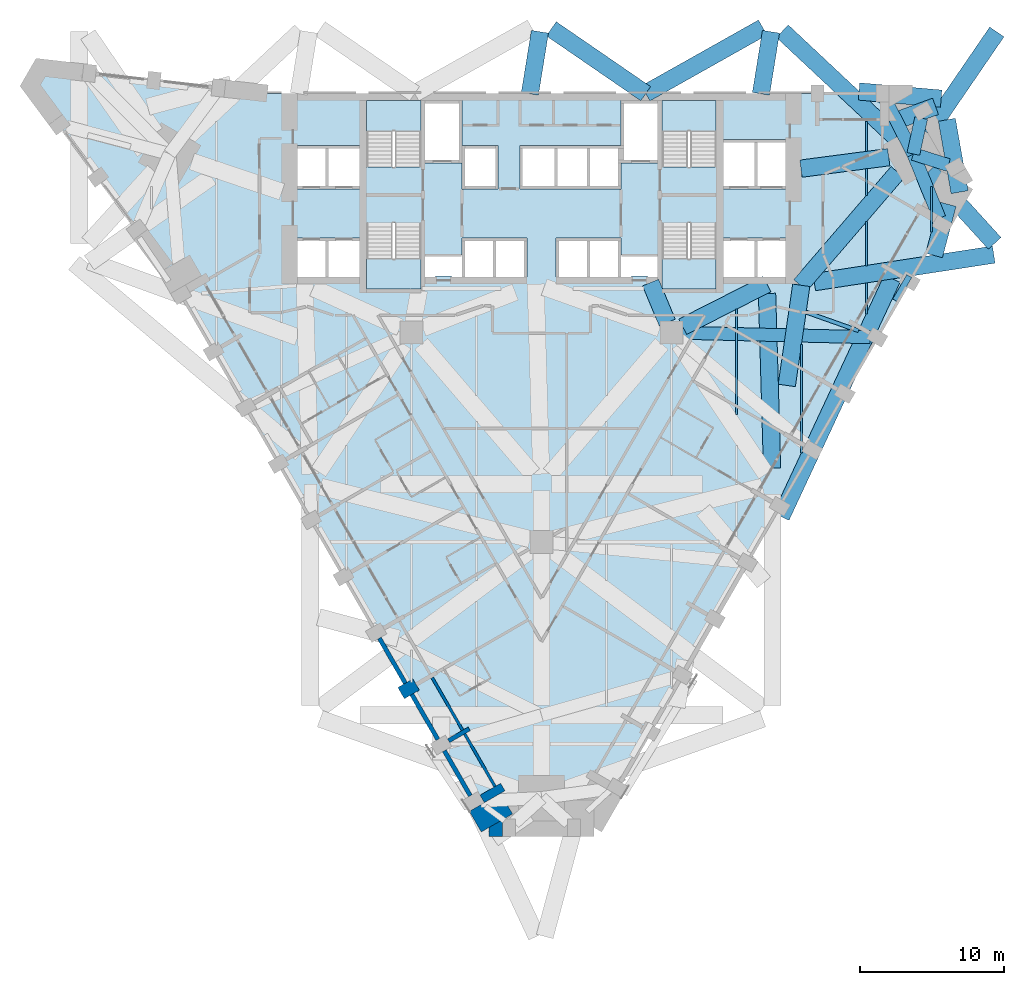
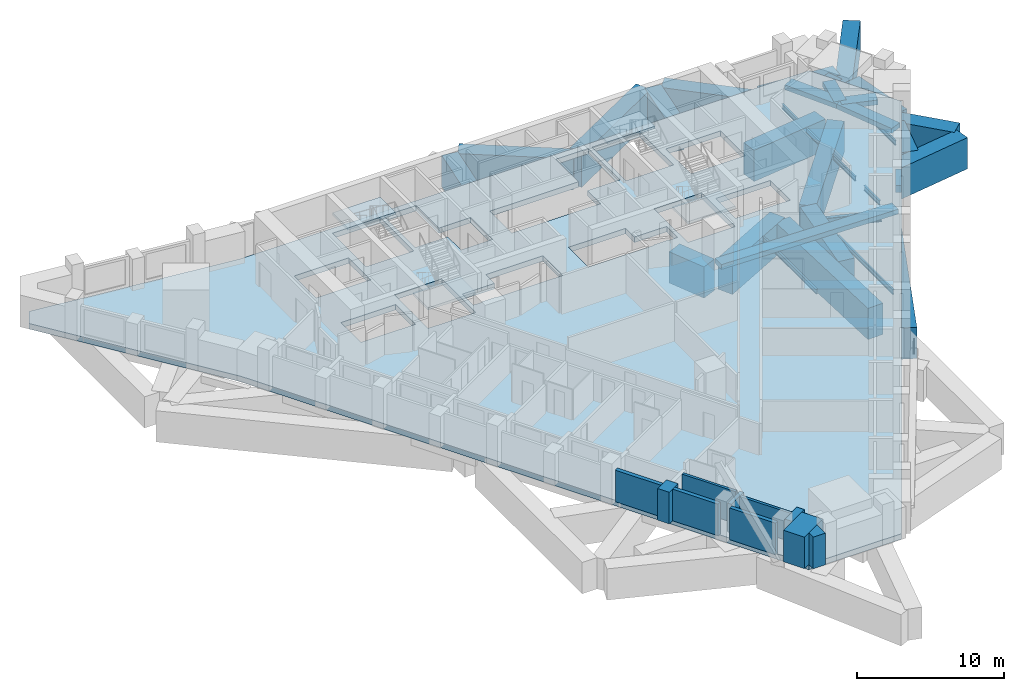
# One storey, part 3 of 12: 33 beams, 10 walls, 5 slabs, 4 elements without a shape of their own.
"""IFC4 building model written with IfcOpenShell, lengths in metres."""

from ifc_helpers import new_model, si_unit, direction, frame, frame_2d, origin, origin_2d, place, context, subcontext, project, spatial, polyline, rectangle, i_section, outline, extrude, material, layer, layer_set, material_profile, profile_set, type_object, element, aggregate, save


model = new_model("IFC4")

# Units and contexts
model_context = context("Model", 3, precision=1e-05, world=origin(), true_north=direction((0.0, 1.0)))
body_context = subcontext(model_context, "Body", "Model", "MODEL_VIEW")
ifc_project = project(units=[si_unit("LENGTHUNIT", "METRE"), si_unit("AREAUNIT", "SQUARE_METRE"), si_unit("VOLUMEUNIT", "CUBIC_METRE"), si_unit("PLANEANGLEUNIT", "RADIAN"), si_unit("MASSUNIT", "GRAM", prefix="KILO")], contexts=[model_context])

# Site, building, storey
site_placement = place(None, origin())
site = spatial("IfcSite", under=ifc_project, at=site_placement, CompositionType="ELEMENT")
building_placement = place(site_placement, origin())
building = spatial("IfcBuilding", under=site, at=building_placement, Name="Calabash Gate Tower", CompositionType="ELEMENT")
storey_placement = place(building_placement, frame((0.0, 0.0, 46.0)))
storey = spatial("IfcBuildingStorey", under=building, at=storey_placement, Name="L06", CompositionType="ELEMENT", Elevation=46.0)

# Beams
ifc_material_1 = material(Name="Concrete C80/95", Category="concrete")
ifc_material_profile_1 = material_profile(ifc_material_1, rectangle(XDim=0.89990234375, YDim=0.39990234375, at=origin_2d()))
ifc_profile_set_1 = profile_set([ifc_material_profile_1], Name="Concrete C80/95")
beam_type_1 = type_object("IfcBeamType", Name="Deck band beam RC 900x400 Concrete C80/95", PredefinedType="BEAM", material=ifc_profile_set_1)
beam_1_placement = place(storey_placement, frame((9.0, 2.5, -0.200927734375), z_axis=(0.999724206067, -0.023484288434, 0.0), x_axis=(0.023484288434, 0.999724206067, 0.0)))
element("IfcBeam", 1, at=beam_1_placement, inside=storey, type_object=beam_type_1, Name="Deck band beam L06 P12", PredefinedType="BEAM", context=body_context, shape_type="SweptSolid", body=[
    extrude(rectangle(XDim=0.89990234375, YDim=0.39990234375, at=origin_2d()), origin(), (0.0, 0.0, 1.0), 13.75390625),
])
beam_2_placement = place(storey_placement, frame((25.75, 14.866943359375, -0.200927734375), z_axis=(0.377329202401, -0.926079193706, 0.0), x_axis=(0.926079193706, 0.377329202401, 0.0)))
element("IfcBeam", 2, at=beam_2_placement, inside=storey, type_object=beam_type_1, Name="Deck band beam L06 P13", PredefinedType="BEAM", context=body_context, shape_type="SweptSolid", body=[
    extrude(rectangle(XDim=0.89990234375, YDim=0.39990234375, at=origin_2d()), origin(), (0.0, 0.0, 1.0), 4.799560546875),
])
beam_3_placement = place(storey_placement, frame((25.75, 14.866943359375, -0.200927734375), z_axis=(0.953070644462, -0.302747992007, 0.0), x_axis=(0.302747992007, 0.953070644462, 0.0)))
element("IfcBeam", 3, at=beam_3_placement, inside=storey, type_object=beam_type_1, Name="Deck band beam L06 P14", PredefinedType="BEAM", context=body_context, shape_type="SweptSolid", body=[
    extrude(rectangle(XDim=0.89990234375, YDim=0.39990234375, at=origin_2d()), origin(), (0.0, 0.0, 1.0), 2.54345703125),
])
beam_4_placement = place(storey_placement, frame((25.75, 14.866943359375, -0.200927734375), z_axis=(0.213453574574, 0.97695320845, 0.0), x_axis=(-0.97695320845, 0.213453574574, 0.0)))
element("IfcBeam", 4, at=beam_4_placement, inside=storey, type_object=beam_type_1, Name="Deck band beam L06 P15", PredefinedType="BEAM", context=body_context, shape_type="SweptSolid", body=[
    extrude(rectangle(XDim=0.89990234375, YDim=0.39990234375, at=origin_2d()), origin(), (0.0, 0.0, 1.0), 2.543701171875),
])
beam_5_placement = place(storey_placement, frame((25.75, 14.866943359375, -0.200927734375), z_axis=(-0.45700827561, 0.889462442166, 0.0), x_axis=(-0.889462442166, -0.45700827561, 0.0)))
element("IfcBeam", 5, at=beam_5_placement, inside=storey, type_object=beam_type_1, Name="Deck band beam L06 P16", PredefinedType="BEAM", context=body_context, shape_type="SweptSolid", body=[
    extrude(rectangle(XDim=0.89990234375, YDim=0.39990234375, at=origin_2d()), origin(), (0.0, 0.0, 1.0), 4.205810546875),
])
ifc_material_2 = material(Name="Concrete C60/75", Category="concrete")
ifc_material_profile_2 = material_profile(ifc_material_2, rectangle(XDim=0.39990234375, YDim=0.60009765625, at=origin_2d()))
ifc_profile_set_2 = profile_set([ifc_material_profile_2], Name="Concrete C60/75")
beam_type_2 = type_object("IfcBeamType", Name="Edge beam RC 400x600 Concrete C60/75", PredefinedType="BEAM", material=ifc_profile_set_2)
beam_6_placement = place(storey_placement, frame((24.493896484375, 4.719970703125, -0.75), z_axis=(0.49998975084, 0.866031321059, 0.0), x_axis=(-0.866031321059, 0.49998975084, 0.0)))
element("IfcBeam", 6, at=beam_6_placement, inside=storey, type_object=beam_type_2, Name="Edge beam L06 10", PredefinedType="BEAM", context=body_context, shape_type="SweptSolid", body=[
    extrude(rectangle(XDim=0.39990234375, YDim=0.60009765625, at=origin_2d()), origin(), (0.0, 0.0, 1.0), 1.9501953125),
])
ifc_material_3 = material(Name="Steel ASTM A992 Gr50", Category="steel")
ifc_material_profile_3 = material_profile(ifc_material_3, i_section(OverallWidth=0.1396484375, OverallDepth=0.398681640625, WebThickness=0.00634765625, FlangeThickness=0.0087890625, FilletRadius=0.01025390625, at=origin_2d()))
ifc_profile_set_3 = profile_set([ifc_material_profile_3], Name="Steel ASTM A992 Gr50")
beam_type_3 = type_object("IfcBeamType", Name="Floor beam W16x26 ASTM A992 Gr50", PredefinedType="BEAM", material=ifc_profile_set_3)
beam_7_placement = place(storey_placement, frame((13.5, -3.18994140625, -0.64892578125), z_axis=(0.0, 1.0, 0.0), x_axis=(-1.0, 0.0, 0.0)))
element("IfcBeam", 7, at=beam_7_placement, inside=storey, type_object=beam_type_3, Name="Floor beam L06 29", PredefinedType="BEAM", context=body_context, shape_type="SweptSolid", body=[
    extrude(i_section(OverallWidth=0.1396484375, OverallDepth=0.398681640625, WebThickness=0.00634765625, FlangeThickness=0.0087890625, FilletRadius=0.01025390625, at=origin_2d()), origin(), (0.0, 0.0, 1.0), 7.326904296875),
])
beam_8_placement = place(storey_placement, frame((18.0, -5.830078125, -0.64892578125), z_axis=(0.0, 1.0, 0.0), x_axis=(-1.0, 0.0, 0.0)))
element("IfcBeam", 8, at=beam_8_placement, inside=storey, type_object=beam_type_3, Name="Floor beam L06 30", PredefinedType="BEAM", context=body_context, shape_type="SweptSolid", body=[
    extrude(i_section(OverallWidth=0.1396484375, OverallDepth=0.398681640625, WebThickness=0.00634765625, FlangeThickness=0.0087890625, FilletRadius=0.01025390625, at=origin_2d()), origin(), (0.0, 0.0, 1.0), 7.51611328125),
])
beam_9_placement = place(storey_placement, frame((22.5, 3.800048828125, -0.64892578125), z_axis=(0.0, 1.0, 0.0), x_axis=(-1.0, 0.0, 0.0)))
element("IfcBeam", 9, at=beam_9_placement, inside=storey, type_object=beam_type_3, Name="Floor beam L06 31", PredefinedType="BEAM", context=body_context, shape_type="SweptSolid", body=[
    extrude(i_section(OverallWidth=0.1396484375, OverallDepth=0.398681640625, WebThickness=0.00634765625, FlangeThickness=0.0087890625, FilletRadius=0.01025390625, at=origin_2d()), origin(), (0.0, 0.0, 1.0), 2.14794921875),
])
beam_10_placement = place(storey_placement, frame((22.5, 7.117919921875, -0.64892578125), z_axis=(0.0, 1.0, 0.0), x_axis=(-1.0, 0.0, 0.0)))
element("IfcBeam", 10, at=beam_10_placement, inside=storey, type_object=beam_type_3, Name="Floor beam L06 32", PredefinedType="BEAM", context=body_context, shape_type="SweptSolid", body=[
    extrude(i_section(OverallWidth=0.1396484375, OverallDepth=0.398681640625, WebThickness=0.00634765625, FlangeThickness=0.0087890625, FilletRadius=0.01025390625, at=origin_2d()), origin(), (0.0, 0.0, 1.0), 3.070068359375),
])
beam_11_placement = place(storey_placement, frame((22.5, 11.987060546875, -0.64892578125), z_axis=(0.0, 1.0, 0.0), x_axis=(-1.0, 0.0, 0.0)))
element("IfcBeam", 11, at=beam_11_placement, inside=storey, type_object=beam_type_3, Name="Floor beam L06 33", PredefinedType="BEAM", context=body_context, shape_type="SweptSolid", body=[
    extrude(i_section(OverallWidth=0.1396484375, OverallDepth=0.398681640625, WebThickness=0.00634765625, FlangeThickness=0.0087890625, FilletRadius=0.01025390625, at=origin_2d()), origin(), (0.0, 0.0, 1.0), 1.870849609375),
])
beam_12_placement = place(storey_placement, frame((22.5, 15.02392578125, -0.64892578125), z_axis=(0.0, 1.0, 0.0), x_axis=(-1.0, 0.0, 0.0)))
element("IfcBeam", 12, at=beam_12_placement, inside=storey, type_object=beam_type_3, Name="Floor beam L06 34", PredefinedType="BEAM", context=body_context, shape_type="SweptSolid", body=[
    extrude(i_section(OverallWidth=0.1396484375, OverallDepth=0.398681640625, WebThickness=0.00634765625, FlangeThickness=0.0087890625, FilletRadius=0.01025390625, at=origin_2d()), origin(), (0.0, 0.0, 1.0), 2.09716796875),
])
beam_13_placement = place(storey_placement, frame((27.0, 9.446044921875, -0.64892578125), z_axis=(0.0, 1.0, 0.0), x_axis=(-1.0, 0.0, 0.0)))
element("IfcBeam", 13, at=beam_13_placement, inside=storey, type_object=beam_type_3, Name="Floor beam L06 35", PredefinedType="BEAM", context=body_context, shape_type="SweptSolid", body=[
    extrude(i_section(OverallWidth=0.1396484375, OverallDepth=0.398681640625, WebThickness=0.00634765625, FlangeThickness=0.0087890625, FilletRadius=0.01025390625, at=origin_2d()), origin(), (0.0, 0.0, 1.0), 3.16796875),
])
ifc_material_4 = material(Name="Steel ASTM A992 Gr50", Category="steel")
ifc_material_profile_4 = material_profile(ifc_material_4, i_section(OverallWidth=0.2666015625, OverallDepth=0.77978515625, WebThickness=0.0166015625, FlangeThickness=0.030029296875, FilletRadius=0.0166015625, at=origin_2d()))
ifc_profile_set_4 = profile_set([ifc_material_profile_4], Name="Steel ASTM A992 Gr50")
beam_type_4 = type_object("IfcBeamType", Name="Girder W30x148 ASTM A992 Gr50", PredefinedType="BEAM", material=ifc_profile_set_4)
beam_14_placement = place(storey_placement, frame((21.949951171875, 2.6259765625, -0.840087890625), z_axis=(-0.94256403784, 0.33402549988, 0.0), x_axis=(-0.33402549988, -0.94256403784, 0.0)))
element("IfcBeam", 14, at=beam_14_placement, inside=storey, type_object=beam_type_4, Name="Girder L06 4", PredefinedType="BEAM", context=body_context, shape_type="SweptSolid", body=[
    extrude(i_section(OverallWidth=0.2666015625, OverallDepth=0.77978515625, WebThickness=0.0166015625, FlangeThickness=0.030029296875, FilletRadius=0.0166015625, at=origin_2d()), origin(), (0.0, 0.0, 1.0), 3.876708984375),
])
ifc_material_5 = material(Name="Concrete C80/95", Category="concrete")
ifc_material_profile_5 = material_profile(ifc_material_5, rectangle(XDim=1.199951171875, YDim=2.60009765625, at=origin_2d()))
ifc_profile_set_5 = profile_set([ifc_material_profile_5], Name="Concrete C80/95")
beam_type_5 = type_object("IfcBeamType", Name="Transfer beam RC 1200x2600 Concrete C80/95", PredefinedType="BEAM", material=ifc_profile_set_5)
beam_15_placement = place(storey_placement, frame((16.596923828125, -10.2509765625, -1.75), z_axis=(0.422541390631, 0.906343628655, 0.0), x_axis=(-0.906343628655, 0.422541390631, 0.0)))
element("IfcBeam", 15, at=beam_15_placement, inside=storey, type_object=beam_type_5, Name="Transfer beam L06 57", PredefinedType="BEAM", context=body_context, shape_type="SweptSolid", body=[
    extrude(rectangle(XDim=1.199951171875, YDim=2.60009765625, at=origin_2d()), origin(), (0.0, 0.0, 1.0), 18.1806640625),
])
beam_16_placement = place(storey_placement, frame((27.181884765625, 7.837890625, -1.75), z_axis=(0.258622045458, 0.965978590655, 0.0), x_axis=(-0.965978590655, 0.258622045458, 0.0)))
element("IfcBeam", 16, at=beam_16_placement, inside=storey, type_object=beam_type_5, Name="Transfer beam L06 58", PredefinedType="BEAM", context=body_context, shape_type="SweptSolid", body=[
    extrude(rectangle(XDim=1.199951171875, YDim=2.60009765625, at=origin_2d()), origin(), (0.0, 0.0, 1.0), 3.674072265625),
])
beam_17_placement = place(storey_placement, frame((28.9541015625, 12.219970703125, -1.75), z_axis=(-0.173637611139, 0.984809616118, 0.0), x_axis=(-0.984809616118, -0.173637611139, 0.0)))
element("IfcBeam", 17, at=beam_17_placement, inside=storey, type_object=beam_type_5, Name="Transfer beam L06 59", PredefinedType="BEAM", context=body_context, shape_type="SweptSolid", body=[
    extrude(rectangle(XDim=1.199951171875, YDim=2.60009765625, at=origin_2d()), origin(), (0.0, 0.0, 1.0), 5.09130859375),
])
beam_18_placement = place(storey_placement, frame((24.257080078125, 17.06005859375, -1.75), z_axis=(0.93967399384, 0.342071316104, 0.0), x_axis=(-0.342071316104, 0.93967399384, 0.0)))
element("IfcBeam", 18, at=beam_18_placement, inside=storey, type_object=beam_type_5, Name="Transfer beam L06 60", PredefinedType="BEAM", context=body_context, shape_type="SweptSolid", body=[
    extrude(rectangle(XDim=1.199951171875, YDim=2.60009765625, at=origin_2d()), origin(), (0.0, 0.0, 1.0), 3.224609375),
])
beam_19_placement = place(storey_placement, frame((27.677001953125, 18.696044921875, -1.75), z_axis=(-0.996189725716, 0.087212558598, 0.0), x_axis=(-0.087212558598, -0.996189725716, 0.0)))
element("IfcBeam", 19, at=beam_19_placement, inside=storey, type_object=beam_type_5, Name="Transfer beam L06 61", PredefinedType="BEAM", context=body_context, shape_type="SweptSolid", body=[
    extrude(rectangle(XDim=1.199951171875, YDim=2.60009765625, at=origin_2d()), origin(), (0.0, 0.0, 1.0), 5.710693359375),
])
ifc_material_6 = material(Name="Concrete C80/95", Category="concrete")
ifc_material_profile_6 = material_profile(ifc_material_6, rectangle(XDim=1.199951171875, YDim=2.60009765625, at=origin_2d()))
ifc_profile_set_6 = profile_set([ifc_material_profile_6], Name="Concrete C80/95")
beam_type_6 = type_object("IfcBeamType", Name="Transfer girder RC 1200x2600 Concrete C80/95", PredefinedType="BEAM", material=ifc_profile_set_6)
beam_20_placement = place(storey_placement, frame((-0.803955078125, 19.031005859375, -1.75), z_axis=(0.15978924293, 0.987151152481, 0.0), x_axis=(-0.987151152481, 0.15978924293, 0.0)))
element("IfcBeam", 20, at=beam_20_placement, inside=storey, type_object=beam_type_6, Name="Transfer girder L06 21", PredefinedType="BEAM", context=body_context, shape_type="SweptSolid", body=[
    extrude(rectangle(XDim=1.199951171875, YDim=2.60009765625, at=origin_2d()), origin(), (0.0, 0.0, 1.0), 4.35595703125),
])
beam_21_placement = place(storey_placement, frame((0.681884765625, 23.531005859375, -1.75), z_axis=(0.82419639398, -0.56630407393, 0.0), x_axis=(0.56630407393, 0.82419639398, 0.0)))
element("IfcBeam", 21, at=beam_21_placement, inside=storey, type_object=beam_type_6, Name="Transfer girder L06 33", PredefinedType="BEAM", context=body_context, shape_type="SweptSolid", body=[
    extrude(rectangle(XDim=1.199951171875, YDim=2.60009765625, at=origin_2d()), origin(), (0.0, 0.0, 1.0), 7.930419921875),
])
beam_22_placement = place(storey_placement, frame((7.216064453125, 19.06103515625, -1.75), z_axis=(0.87165545338, 0.490119139183, 0.0), x_axis=(-0.490119139183, 0.87165545338, 0.0)))
element("IfcBeam", 22, at=beam_22_placement, inside=storey, type_object=beam_type_6, Name="Transfer girder L06 34", PredefinedType="BEAM", context=body_context, shape_type="SweptSolid", body=[
    extrude(rectangle(XDim=1.199951171875, YDim=2.60009765625, at=origin_2d()), origin(), (0.0, 0.0, 1.0), 9.299560546875),
])
beam_23_placement = place(storey_placement, frame((7.553955078125, 5.9619140625, -1.75), z_axis=(0.385395463357, -0.92275150329, 0.0), x_axis=(0.92275150329, 0.385395463357, 0.0)))
element("IfcBeam", 23, at=beam_23_placement, inside=storey, type_object=beam_type_6, Name="Transfer girder L06 35", PredefinedType="BEAM", context=body_context, shape_type="SweptSolid", body=[
    extrude(rectangle(XDim=1.199951171875, YDim=2.60009765625, at=origin_2d()), origin(), (0.0, 0.0, 1.0), 2.99951171875),
])
beam_24_placement = place(storey_placement, frame((9.782958984375, 2.89794921875, -1.75), z_axis=(0.891600889098, 0.452822100344, 0.0), x_axis=(-0.452822100344, 0.891600889098, 0.0)))
element("IfcBeam", 24, at=beam_24_placement, inside=storey, type_object=beam_type_6, Name="Transfer girder L06 36", PredefinedType="BEAM", context=body_context, shape_type="SweptSolid", body=[
    extrude(rectangle(XDim=1.199951171875, YDim=2.60009765625, at=origin_2d()), origin(), (0.0, 0.0, 1.0), 6.53662109375),
])
beam_25_placement = place(storey_placement, frame((15.196044921875, 19.031005859375, -1.75), z_axis=(0.15978924293, 0.987151152481, 0.0), x_axis=(-0.987151152481, 0.15978924293, 0.0)))
element("IfcBeam", 25, at=beam_25_placement, inside=storey, type_object=beam_type_6, Name="Transfer girder L06 38", PredefinedType="BEAM", context=body_context, shape_type="SweptSolid", body=[
    extrude(rectangle(XDim=1.199951171875, YDim=2.60009765625, at=origin_2d()), origin(), (0.0, 0.0, 1.0), 4.35595703125),
])
beam_26_placement = place(storey_placement, frame((15.618896484375, 5.20703125, -1.75), z_axis=(0.028866935928, -0.99958326317, 0.0), x_axis=(0.99958326317, 0.028866935928, 0.0)))
element("IfcBeam", 26, at=beam_26_placement, inside=storey, type_object=beam_type_6, Name="Transfer girder L06 39", PredefinedType="BEAM", context=body_context, shape_type="SweptSolid", body=[
    extrude(rectangle(XDim=1.199951171875, YDim=2.60009765625, at=origin_2d()), origin(), (0.0, 0.0, 1.0), 12.09423828125),
])
beam_27_placement = place(storey_placement, frame((16.987060546875, -1.160888671875, -1.75), z_axis=(0.14301651767, 0.989720301739, 0.0), x_axis=(-0.989720301739, 0.14301651767, 0.0)))
element("IfcBeam", 27, at=beam_27_placement, inside=storey, type_object=beam_type_6, Name="Transfer girder L06 41", PredefinedType="BEAM", context=body_context, shape_type="SweptSolid", body=[
    extrude(rectangle(XDim=1.199951171875, YDim=2.60009765625, at=origin_2d()), origin(), (0.0, 0.0, 1.0), 7.005859375),
])
beam_28_placement = place(storey_placement, frame((16.677001953125, 23.365966796875, -1.75), z_axis=(0.729797901463, -0.683662945479, 0.0), x_axis=(0.683662945479, 0.729797901463, 0.0)))
element("IfcBeam", 28, at=beam_28_placement, inside=storey, type_object=beam_type_6, Name="Transfer girder L06 42", PredefinedType="BEAM", context=body_context, shape_type="SweptSolid", body=[
    extrude(rectangle(XDim=1.199951171875, YDim=2.60009765625, at=origin_2d()), origin(), (0.0, 0.0, 1.0), 10.774169921875),
])
beam_29_placement = place(storey_placement, frame((17.927001953125, 5.76806640625, -1.75), z_axis=(0.651921348115, 0.758286592175, 0.0), x_axis=(-0.758286592175, 0.651921348115, 0.0)))
element("IfcBeam", 29, at=beam_29_placement, inside=storey, type_object=beam_type_6, Name="Transfer girder L06 43", PredefinedType="BEAM", context=body_context, shape_type="SweptSolid", body=[
    extrude(rectangle(XDim=1.199951171875, YDim=2.60009765625, at=origin_2d()), origin(), (0.0, 0.0, 1.0), 10.3310546875),
])
beam_30_placement = place(storey_placement, frame((18.887939453125, 5.989013671875, -1.75), z_axis=(0.988439145396, 0.151618125068, 0.0), x_axis=(-0.151618125068, 0.988439145396, 0.0)))
element("IfcBeam", 30, at=beam_30_placement, inside=storey, type_object=beam_type_6, Name="Transfer girder L06 44", PredefinedType="BEAM", context=body_context, shape_type="SweptSolid", body=[
    extrude(rectangle(XDim=1.199951171875, YDim=2.60009765625, at=origin_2d()), origin(), (0.0, 0.0, 1.0), 12.57763671875),
])
beam_31_placement = place(storey_placement, frame((17.968017578125, 13.847900390625, -1.75), z_axis=(0.991529638159, 0.129880624625, 0.0), x_axis=(-0.129880624625, 0.991529638159, 0.0)))
element("IfcBeam", 31, at=beam_31_placement, inside=storey, type_object=beam_type_6, Name="Transfer girder L06 45", PredefinedType="BEAM", context=body_context, shape_type="SweptSolid", body=[
    extrude(rectangle(XDim=1.199951171875, YDim=2.60009765625, at=origin_2d()), origin(), (0.0, 0.0, 1.0), 6.1298828125),
])
beam_32_placement = place(storey_placement, frame((26.83203125, 13.677001953125, -1.75), z_axis=(0.673188622561, -0.739470809737, 0.0), x_axis=(0.739470809737, 0.673188622561, 0.0)))
element("IfcBeam", 32, at=beam_32_placement, inside=storey, type_object=beam_type_6, Name="Transfer girder L06 46", PredefinedType="BEAM", context=body_context, shape_type="SweptSolid", body=[
    extrude(rectangle(XDim=1.199951171875, YDim=2.60009765625, at=origin_2d()), origin(), (0.0, 0.0, 1.0), 6.759033203125),
])
beam_33_placement = place(storey_placement, frame((26.741943359375, 16.31689453125, -1.75), z_axis=(0.564729316398, 0.825276195707, 0.0), x_axis=(-0.825276195707, 0.564729316398, 0.0)))
element("IfcBeam", 33, at=beam_33_placement, inside=storey, type_object=beam_type_6, Name="Transfer girder L06 47", PredefinedType="BEAM", context=body_context, shape_type="SweptSolid", body=[
    extrude(rectangle(XDim=1.199951171875, YDim=2.60009765625, at=origin_2d()), origin(), (0.0, 0.0, 1.0), 8.48193359375),
])

# Stair, slab
ifc_material_7 = material(Name="Concrete C40/50", Category="concrete")
stair_type = type_object("IfcStairType", Name="Exit stair 20 risers of 170 mm", PredefinedType="HALF_TURN_STAIR", material=ifc_material_7)
stair_1_placement = place(storey_placement, origin())
stair_1 = element("IfcStair", 34, at=stair_1_placement, inside=storey, type_object=stair_type, Name="L06 Exit stair ST1", PredefinedType="HALF_TURN_STAIR")
ifc_material_8 = material(Name="Concrete C40/50", Category="concrete")
ifc_layer_1 = layer(ifc_material_8, 0.199951171875)
ifc_layer_set_1 = layer_set([ifc_layer_1], Name="Stair landing SL200")
slab_type_1 = type_object("IfcSlabType", Name="Stair landing SL200", PredefinedType="LANDING", material=ifc_layer_set_1)
slab_1_placement = place(storey_placement, frame((0.0, 0.0, 1.5)))
slab_1 = element("IfcSlab", 35, at=slab_1_placement, type_object=slab_type_1, Name="ST1 landing 1", PredefinedType="LANDING", context=body_context, shape_type="SweptSolid", body=[
    extrude(outline(polyline([(-8.35009765625, 16.463623046875), (-8.35009765625, 18.552490234375), (-12.10009765625, 18.552490234375), (-12.10009765625, 16.463623046875), (-8.35009765625, 16.463623046875)])), origin(), (0.0, 0.0, 1.0), 0.199951171875),
])
aggregate(stair_1, [slab_1])

stair_2_placement = place(storey_placement, origin())
stair_2 = element("IfcStair", 36, at=stair_2_placement, inside=storey, type_object=stair_type, Name="L06 Exit stair ST2", PredefinedType="HALF_TURN_STAIR")
slab_2_placement = place(storey_placement, frame((0.0, 0.0, 1.5)))
slab_2 = element("IfcSlab", 37, at=slab_2_placement, type_object=slab_type_1, Name="ST2 landing 1", PredefinedType="LANDING", context=body_context, shape_type="SweptSolid", body=[
    extrude(outline(polyline([(-12.10009765625, 7.591552734375), (-12.10009765625, 5.502685546875), (-8.35009765625, 5.502685546875), (-8.35009765625, 7.591552734375), (-12.10009765625, 7.591552734375)])), origin(), (0.0, 0.0, 1.0), 0.199951171875),
])
aggregate(stair_2, [slab_2])

stair_3_placement = place(storey_placement, origin())
stair_3 = element("IfcStair", 38, at=stair_3_placement, inside=storey, type_object=stair_type, Name="L06 Exit stair ST3", PredefinedType="HALF_TURN_STAIR")
slab_3_placement = place(storey_placement, frame((0.0, 0.0, 1.5)))
slab_3 = element("IfcSlab", 39, at=slab_3_placement, type_object=slab_type_1, Name="ST3 landing 1", PredefinedType="LANDING", context=body_context, shape_type="SweptSolid", body=[
    extrude(outline(polyline([(12.10009765625, 16.463623046875), (12.10009765625, 18.552490234375), (8.35009765625, 18.552490234375), (8.35009765625, 16.463623046875), (12.10009765625, 16.463623046875)])), origin(), (0.0, 0.0, 1.0), 0.199951171875),
])
aggregate(stair_3, [slab_3])

stair_4_placement = place(storey_placement, origin())
stair_4 = element("IfcStair", 40, at=stair_4_placement, inside=storey, type_object=stair_type, Name="L06 Exit stair ST4", PredefinedType="HALF_TURN_STAIR")
slab_4_placement = place(storey_placement, frame((0.0, 0.0, 1.5)))
slab_4 = element("IfcSlab", 41, at=slab_4_placement, type_object=slab_type_1, Name="ST4 landing 1", PredefinedType="LANDING", context=body_context, shape_type="SweptSolid", body=[
    extrude(outline(polyline([(8.35009765625, 7.591552734375), (8.35009765625, 5.502685546875), (12.10009765625, 5.502685546875), (12.10009765625, 7.591552734375), (8.35009765625, 7.591552734375)])), origin(), (0.0, 0.0, 1.0), 0.199951171875),
])
aggregate(stair_4, [slab_4])

# Slab
ifc_material_9 = material(Name="Concrete C40/50", Category="concrete")
ifc_layer_2 = layer(ifc_material_9, 0.449951171875)
ifc_layer_set_2 = layer_set([ifc_layer_2], Name="Transfer deck slab 450 Concrete C40/50")
slab_type_2 = type_object("IfcSlabType", Name="Transfer deck slab 450 Concrete C40/50", PredefinedType="FLOOR", material=ifc_layer_set_2)
slab_5_placement = place(storey_placement, frame((0.0, 0.0, -0.449951171875)))
element("IfcSlab", 42, at=slab_5_placement, inside=storey, type_object=slab_type_2, Name="Floor slab L06", PredefinedType="FLOOR", context=body_context, shape_type="SweptSolid", body=[
    extrude(outline(polyline([(-26.0, 6.92822265625), (-35.392578125, 19.606201171875), (-34.67578125, 20.84765625), (-19.0, 19.052490234375), (25.699951171875, 19.052490234375), (29.35009765625, 12.73046875), (3.64990234375, -31.783203125), (-3.64990234375, -31.783203125), (-26.0, 6.92822265625)]), holes=[polyline([(-5.5, 9.052490234375), (-5.5, 7.8525390625), (-8.050048828125, 7.8525390625), (-8.050048828125, 6.3525390625), (-7.324951171875, 6.3525390625), (-7.324951171875, 6.402587890625), (-6.22509765625, 6.402587890625), (-6.22509765625, 6.3525390625), (-5.5, 6.3525390625), (-3.25, 6.3525390625), (-1.0, 6.3525390625), (-1.0, 9.052490234375), (-3.25, 9.052490234375), (-5.5, 9.052490234375)]), polyline([(5.5, 9.052490234375), (3.25, 9.052490234375), (1.0, 9.052490234375), (1.0, 6.3525390625), (3.25, 6.3525390625), (5.5, 6.3525390625), (6.22509765625, 6.3525390625), (6.22509765625, 6.402587890625), (7.324951171875, 6.402587890625), (7.324951171875, 6.3525390625), (8.050048828125, 6.3525390625), (8.050048828125, 7.8525390625), (5.5, 7.8525390625), (5.5, 9.052490234375)]), polyline([(-5.5, 14.252685546875), (-5.5, 12.45263671875), (-3.0, 12.45263671875), (-3.0, 15.45263671875), (-5.5, 15.45263671875), (-5.5, 18.552490234375), (-8.050048828125, 18.552490234375), (-8.050048828125, 14.252685546875), (-5.5, 14.252685546875)]), polyline([(8.050048828125, 18.552490234375), (5.5, 18.552490234375), (5.5, 15.45263671875), (3.25, 15.45263671875), (1.0, 15.45263671875), (-1.5, 15.45263671875), (-1.5, 12.45263671875), (1.0, 12.45263671875), (3.25, 12.45263671875), (5.5, 12.45263671875), (5.5, 14.252685546875), (8.050048828125, 14.252685546875), (8.050048828125, 18.552490234375)]), polyline([(-12.60009765625, 6.3525390625), (-12.60009765625, 9.052490234375), (-14.85009765625, 9.052490234375), (-16.89990234375, 9.052490234375), (-16.89990234375, 6.3525390625), (-14.85009765625, 6.3525390625), (-12.60009765625, 6.3525390625)]), polyline([(-14.85009765625, 12.45263671875), (-12.60009765625, 12.45263671875), (-12.60009765625, 15.45263671875), (-14.85009765625, 15.45263671875), (-16.89990234375, 15.45263671875), (-16.89990234375, 12.45263671875), (-14.85009765625, 12.45263671875)]), polyline([(14.85009765625, 6.3525390625), (16.89990234375, 6.3525390625), (16.89990234375, 9.052490234375), (14.85009765625, 9.052490234375), (12.60009765625, 9.052490234375), (12.60009765625, 6.3525390625), (14.85009765625, 6.3525390625)]), polyline([(14.85009765625, 12.45263671875), (16.89990234375, 12.45263671875), (16.89990234375, 15.8525390625), (14.85009765625, 15.8525390625), (12.60009765625, 15.8525390625), (12.60009765625, 12.45263671875), (14.85009765625, 12.45263671875)]), polyline([(-8.35009765625, 18.552490234375), (-12.10009765625, 18.552490234375), (-12.10009765625, 13.95263671875), (-8.35009765625, 13.95263671875), (-8.35009765625, 18.552490234375)]), polyline([(-12.10009765625, 10.1025390625), (-12.10009765625, 5.502685546875), (-8.35009765625, 5.502685546875), (-8.35009765625, 10.1025390625), (-12.10009765625, 10.1025390625)]), polyline([(8.35009765625, 13.95263671875), (12.10009765625, 13.95263671875), (12.10009765625, 18.552490234375), (8.35009765625, 18.552490234375), (8.35009765625, 13.95263671875)]), polyline([(12.10009765625, 5.502685546875), (12.10009765625, 10.1025390625), (8.35009765625, 10.1025390625), (8.35009765625, 5.502685546875), (12.10009765625, 5.502685546875)])]), origin(), (0.0, 0.0, 1.0), 0.449951171875),
])

# Walls
ifc_material_10 = material(Name="Terracotta brick masonry, exposed face", Category="masonry")
ifc_layer_3 = layer(ifc_material_10, 2.5)
ifc_layer_set_3 = layer_set([ifc_layer_3], Name="Brick corner mass wall 2500")
wall_type_1 = type_object("IfcWallType", Name="Brick corner mass wall 2500", PredefinedType="SOLIDWALL", material=ifc_layer_set_3)
wall_1_placement = place(storey_placement, origin())
element("IfcWall", 43, at=wall_1_placement, inside=storey, type_object=wall_type_1, Name="Brick corner pier S01 2a", PredefinedType="SOLIDWALL", context=body_context, shape_type="SweptSolid", body=[
    extrude(outline(polyline([(-2.004638671875, -30.833251953125), (-2.82958984375, -29.404296875), (-4.99462890625, -30.654296875), (-4.169677734375, -32.083251953125), (-2.699951171875, -31.234619140625), (-2.699951171875, -31.18310546875), (-2.610595703125, -31.18310546875), (-2.004638671875, -30.833251953125)])), origin(), (0.0, 0.0, 1.0), 2.6298828125),
])
wall_2_placement = place(storey_placement, origin())
element("IfcWall", 44, at=wall_2_placement, inside=storey, type_object=wall_type_1, Name="Brick corner pier S01 2ba", PredefinedType="SOLIDWALL", context=body_context, shape_type="SweptSolid", body=[
    extrude(outline(polyline([(-3.64990234375, -31.783203125), (-3.64990234375, -32.383056640625), (-2.699951171875, -32.383056640625), (-2.699951171875, -31.234619140625), (-3.64990234375, -31.783203125)])), origin(), (0.0, 0.0, 1.0), 2.6298828125),
])
ifc_material_11 = material(Name="Terracotta brick masonry, exposed face", Category="masonry")
ifc_layer_4 = layer(ifc_material_11, 1.199951171875)
ifc_layer_set_4 = layer_set([ifc_layer_4], Name="Brick end wall 1200")
wall_type_2 = type_object("IfcWallType", Name="Brick end wall 1200", PredefinedType="SOLIDWALL", material=ifc_layer_set_4)
wall_3_placement = place(storey_placement, frame((-8.680419921875, -21.870361328125, 0.0), z_axis=(0.0, 0.0, 1.0), x_axis=(-0.866094119867, -0.499880961361, 0.0)))
element("IfcWall", 45, at=wall_3_placement, inside=storey, type_object=wall_type_2, Name="Brick pier S01 SW0.7", PredefinedType="SOLIDWALL", context=body_context, shape_type="SweptSolid", body=[
    extrude(rectangle(XDim=1.199951171875, YDim=0.89990234375, at=frame_2d((0.60009765625, 0.0))), origin(), (0.0, 0.0, 1.0), 2.6298828125),
])
ifc_material_12 = material(Name="Terracotta brick masonry, exposed face", Category="masonry")
ifc_layer_5 = layer(ifc_material_12, 0.300048828125)
ifc_layer_set_5 = layer_set([ifc_layer_5], Name="Brick infill panel wall 300")
wall_type_3 = type_object("IfcWallType", Name="Brick infill panel wall 300", PredefinedType="SOLIDWALL", material=ifc_layer_set_5)
for number, where, z_axis, x_axis, name in (
    (46, (-11.22509765625, -18.662841796875, 0.0), (0.0, 0.0, 1.0), (0.500012057535, -0.866018442252, 0.0), "Brick panel S01 SW0.7"),
    (47, (-8.97509765625, -22.56005859375, 0.0), (0.0, 0.0, 1.0), (0.500012057535, -0.866018442252, 0.0), "Brick panel S01 SW0.8"),
):
    element("IfcWall", number, at=place(storey_placement, frame(where, z_axis=z_axis, x_axis=x_axis)), inside=storey, type_object=wall_type_3, Name=name, PredefinedType="SOLIDWALL", context=body_context, shape_type="SweptSolid", body=[
        extrude(rectangle(XDim=3.60009765625, YDim=0.300048828125, at=frame_2d((1.800048828125, 0.0))), origin(), (0.0, 0.0, 1.0), 2.6298828125),
    ])
wall_4_placement = place(storey_placement, frame((-4.92529296875, -29.574462890625, 0.0), z_axis=(0.0, 0.0, 1.0), x_axis=(-0.499990559667, 0.866030854095, 0.0)))
element("IfcWall", 48, at=wall_4_placement, inside=storey, type_object=wall_type_3, Name="Brick panel S01 SW0.9", PredefinedType="SOLIDWALL", context=body_context, shape_type="SweptSolid", body=[
    extrude(rectangle(XDim=3.599609375, YDim=0.300048828125, at=frame_2d((1.7998046875, 0.0))), origin(), (0.0, 0.0, 1.0), 2.6298828125),
])
ifc_material_13 = material(Name="Terracotta brick masonry, exposed face", Category="masonry")
ifc_layer_6 = layer(ifc_material_13, 0.300048828125)
ifc_layer_set_6 = layer_set([ifc_layer_6], Name="Brick loggia cheek wall 300")
wall_type_4 = type_object("IfcWallType", Name="Brick loggia cheek wall 300", PredefinedType="SOLIDWALL", material=ifc_layer_set_6)
wall_5_placement = place(storey_placement, frame((-6.43017578125, -25.767333984375, 0.0), z_axis=(0.0, 0.0, 1.0), x_axis=(0.866003217194, 0.500038426333, 0.0)))
element("IfcWall", 49, at=wall_5_placement, inside=storey, type_object=wall_type_4, Name="Loggia cheek S01 SW0.8", PredefinedType="SOLIDWALL", context=body_context, shape_type="SweptSolid", body=[
    extrude(rectangle(XDim=1.649658203125, YDim=0.300048828125, at=frame_2d((0.82470703125, 0.0))), origin(), (0.0, 0.0, 1.0), 2.3740234375),
])
wall_6_placement = place(storey_placement, frame((-2.676513671875, -28.969482421875, 0.0), z_axis=(0.0, 0.0, 1.0), x_axis=(-0.866040211805, -0.499974350878, 0.0)))
element("IfcWall", 50, at=wall_6_placement, inside=storey, type_object=wall_type_4, Name="Loggia cheek S01 SW0.9", PredefinedType="SOLIDWALL", context=body_context, shape_type="SweptSolid", body=[
    extrude(rectangle(XDim=1.64990234375, YDim=0.60009765625, at=frame_2d((0.824951171875, 0.0))), origin(), (0.0, 0.0, 1.0), 2.6298828125),
])
ifc_material_14 = material(Name="Aluminium framed window wall with insulated spandrel", Category="aluminium")
ifc_layer_7 = layer(ifc_material_14, 0.199951171875)
ifc_layer_set_7 = layer_set([ifc_layer_7], Name="Window wall 200")
wall_type_5 = type_object("IfcWallType", Name="Window wall 200", PredefinedType="ELEMENTEDWALL", material=ifc_layer_set_7)
wall_7_placement = place(storey_placement, frame((-7.566162109375, -21.400146484375, 0.0), z_axis=(0.0, 0.0, 1.0), x_axis=(0.500027713859, -0.866009402589, 0.0)))
element("IfcWall", 51, at=wall_7_placement, inside=storey, type_object=wall_type_5, Name="Window wall S01 SW0.8", PredefinedType="ELEMENTEDWALL", context=body_context, shape_type="SweptSolid", body=[
    extrude(rectangle(XDim=4.199951171875, YDim=0.199951171875, at=frame_2d((2.10009765625, 0.0))), origin(), (0.0, 0.0, 1.0), 2.64990234375),
])
wall_8_placement = place(storey_placement, frame((-5.316162109375, -25.29736328125, 0.0), z_axis=(0.0, 0.0, 1.0), x_axis=(0.500027713859, -0.866009402589, 0.0)))
element("IfcWall", 52, at=wall_8_placement, inside=storey, type_object=wall_type_5, Name="Window wall S01 SW0.9", PredefinedType="ELEMENTEDWALL", context=body_context, shape_type="SweptSolid", body=[
    extrude(rectangle(XDim=4.199951171875, YDim=0.199951171875, at=frame_2d((2.10009765625, 0.0))), origin(), (0.0, 0.0, 1.0), 2.3740234375),
])

save(model, "model.ifc")
